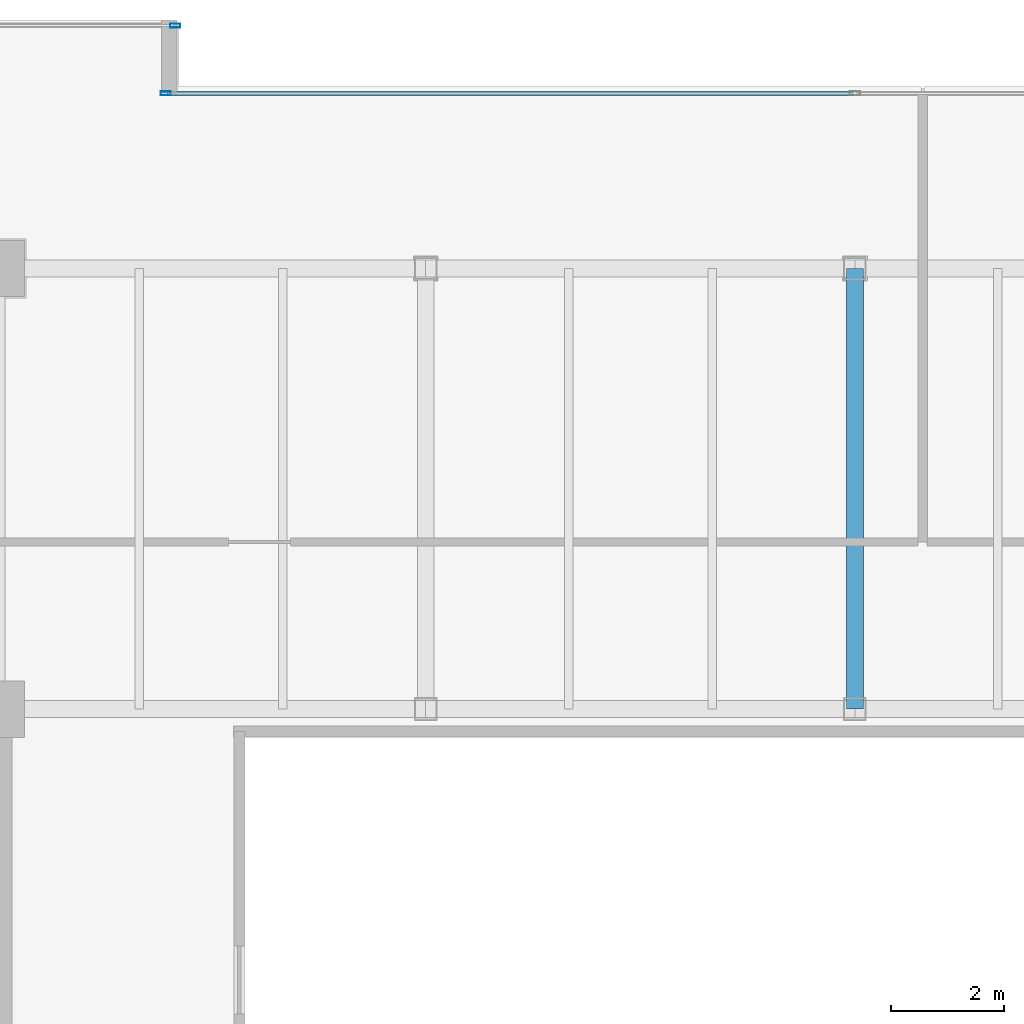
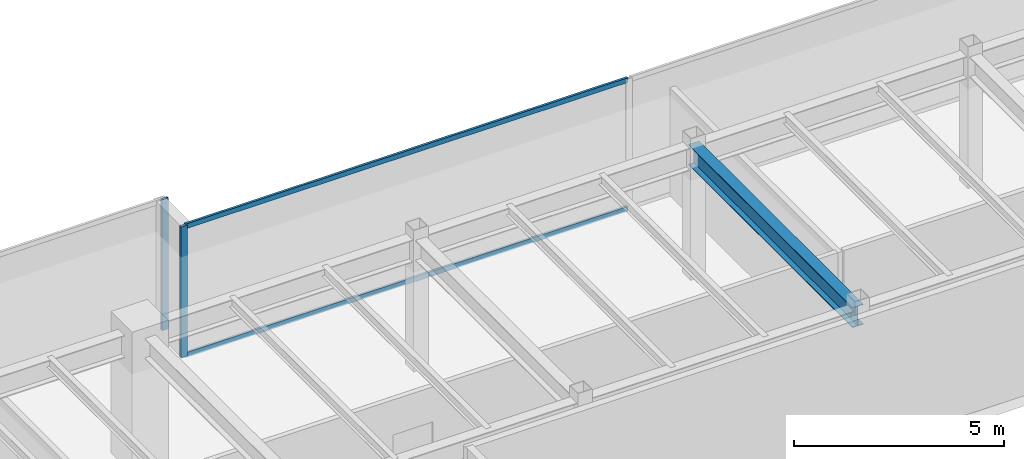
# One storey, part 17 of 35: 4 members, 1 beam, 2 elements without a shape of their own.
"""IFC4 building model written with IfcOpenShell, lengths in metres."""

from ifc_helpers import new_model, si_unit, direction, frame, origin, origin_2d, place, context, subcontext, project, spatial, hollow_rectangle, i_section, extrude, source, transform, mapped, material, layer, layer_set, material_profile, profile_set, type_object, type_shapes, element, aggregate, save


model = new_model("IFC4")

# Units and contexts
model_context = context("Model", 3, precision=1e-05, world=origin(), true_north=direction((0.0, 1.0)))
body_context = subcontext(model_context, "Body", "Model", "MODEL_VIEW")
ifc_project = project(units=[si_unit("LENGTHUNIT", "METRE"), si_unit("AREAUNIT", "SQUARE_METRE"), si_unit("VOLUMEUNIT", "CUBIC_METRE"), si_unit("PLANEANGLEUNIT", "RADIAN"), si_unit("MASSUNIT", "GRAM", prefix="KILO")], contexts=[model_context])

# Site, building, storey
site_placement = place(None, origin())
site = spatial("IfcSite", under=ifc_project, at=site_placement, CompositionType="ELEMENT")
building_placement = place(site_placement, origin())
building = spatial("IfcBuilding", under=site, at=building_placement, Name="Haelvirn Gate Laboratories", CompositionType="ELEMENT")
storey_placement = place(building_placement, frame((0.0, 0.0, 221.89990234375)))
storey = spatial("IfcBuildingStorey", under=building, at=storey_placement, Name="L53", CompositionType="ELEMENT", Elevation=221.89990234375)

# Beam
ifc_material_1 = material(Name="Steel SM355", Category="steel")
ifc_material_profile_1 = material_profile(ifc_material_1, i_section(OverallWidth=0.300048828125, OverallDepth=0.587890625, WebThickness=0.011962890625, FlangeThickness=0.02001953125, at=origin_2d()), Name="H-588x300x12x20")
ifc_profile_set_1 = profile_set([ifc_material_profile_1], Name="Steel SM355")
beam_type = type_object("IfcBeamType", Name="BM-G-588", PredefinedType="BEAM", material=ifc_profile_set_1)
shared_shape_1 = source(origin(), body_context, "Body", "SweptSolid", [
    extrude(i_section(OverallWidth=0.300048828125, OverallDepth=0.587890625, WebThickness=0.011962890625, FlangeThickness=0.02001953125, at=origin_2d()), origin(), (0.0, 0.0, 1.0), 7.800048828125),
])
type_shapes(beam_type, [shared_shape_1])
beam_placement = place(storey_placement, frame((37.39990234375, 33.800048828125, 3.506103515625), z_axis=(0.0, 1.0, 0.0), x_axis=(-1.0, 0.0, 0.0)))
element("IfcBeam", 1, at=beam_placement, inside=storey, type_object=beam_type, Name="L53 Frame Girder X37.4 (33.8-41.6)", PredefinedType="BEAM", context=body_context, shape_type="MappedRepresentation", body=[
    mapped(shared_shape_1, transform((0.0, 0.0, 0.0), scale=1.0)),
])

# Curtain wall, members
ifc_material_2 = material(Name="Anodised bronze unitised aluminium & triple low-E glass", Category="aluminium")
ifc_layer = layer(ifc_material_2, 0.176025390625, Name="CW-SYS-4")
ifc_layer_set = layer_set([ifc_layer], Name="Anodised bronze unitised aluminium & triple low-E glass")
curtain_wall_type = type_object("IfcCurtainWallType", Name="CW-SYS-4", PredefinedType="NOTDEFINED", material=ifc_layer_set)
curtain_wall_1_placement = place(storey_placement, origin())
curtain_wall_1 = element("IfcCurtainWall", 2, at=curtain_wall_1_placement, inside=storey, type_object=curtain_wall_type, Name="L53 Unitised Curtain Wall CW-L53-P0-E12-1", PredefinedType="NOTDEFINED")
ifc_material_3 = material(Name="Extruded aluminium 6063-T6 (anodised bronze)", Category="aluminium")
ifc_material_profile_2 = material_profile(ifc_material_3, hollow_rectangle(XDim=0.06494140625, YDim=0.139892578125, WallThickness=0.00390625, at=origin_2d()), Name="CWT-140x65x4")
ifc_profile_set_2 = profile_set([ifc_material_profile_2], Name="Extruded aluminium 6063-T6 (anodised bronze)")
member_type_1 = type_object("IfcMemberType", Name="CWT-T140", PredefinedType="USERDEFINED", material=ifc_profile_set_2)
shared_shape_2 = source(origin(), body_context, "Body", "SweptSolid", [
    extrude(hollow_rectangle(XDim=0.06494140625, YDim=0.139892578125, WallThickness=0.00390625, at=origin_2d()), origin(), (0.0, 0.0, 1.0), 12.135009765625),
])
type_shapes(member_type_1, [shared_shape_2])
member_1_placement = place(storey_placement, frame((25.22998046875, 44.699951171875, 0.03271484375), z_axis=(1.0, 0.0, 0.0), x_axis=(0.0, 1.0, 0.0)))
member_1 = element("IfcMember", 3, at=member_1_placement, type_object=member_type_1, Name="CW4 transom 1.1", ObjectType="TRANSOM", PredefinedType="USERDEFINED", context=body_context, shape_type="MappedRepresentation", body=[
    mapped(shared_shape_2, transform((0.0, 0.0, 0.0), scale=1.0)),
])
member_2_placement = place(storey_placement, frame((25.22998046875, 44.699951171875, 3.767578125), z_axis=(1.0, 0.0, 0.0), x_axis=(0.0, 1.0, 0.0)))
member_2 = element("IfcMember", 4, at=member_2_placement, type_object=member_type_1, Name="CW4 transom 1.2", ObjectType="TRANSOM", PredefinedType="USERDEFINED", context=body_context, shape_type="MappedRepresentation", body=[
    mapped(shared_shape_2, transform((0.0, 0.0, 0.0), scale=1.0)),
])
ifc_material_profile_3 = material_profile(ifc_material_3, hollow_rectangle(XDim=0.070068359375, YDim=0.179931640625, WallThickness=0.0048828125, at=origin_2d()), Name="CWM-180x70x5")
ifc_profile_set_3 = profile_set([ifc_material_profile_3], Name="Extruded aluminium 6063-T6 (anodised bronze)")
member_type_2 = type_object("IfcMemberType", Name="CWM-T180", PredefinedType="MULLION", material=ifc_profile_set_3)
shared_shape_3 = source(origin(), body_context, "Body", "SweptSolid", [
    extrude(hollow_rectangle(XDim=0.070068359375, YDim=0.179931640625, WallThickness=0.0048828125, at=origin_2d()), origin(), (0.0, 0.0, 1.0), 3.800048828125),
])
type_shapes(member_type_2, [shared_shape_3])
member_3_placement = place(storey_placement, frame((25.195068359375, 44.699951171875, 0.0), z_axis=(0.0, 0.0, 1.0), x_axis=(0.0, 1.0, 0.0)))
member_3 = element("IfcMember", 5, at=member_3_placement, type_object=member_type_2, Name="CW4 mullion 1", PredefinedType="MULLION", context=body_context, shape_type="MappedRepresentation", body=[
    mapped(shared_shape_3, transform((0.0, 0.0, 0.0), scale=1.0)),
])
aggregate(curtain_wall_1, [member_3, member_1, member_2])

# Curtain wall, member
curtain_wall_2_placement = place(storey_placement, origin())
curtain_wall_2 = element("IfcCurtainWall", 6, at=curtain_wall_2_placement, inside=storey, type_object=curtain_wall_type, Name="L53 Unitised Curtain Wall CW-L53-P0-E14-1", PredefinedType="NOTDEFINED")
member_4_placement = place(storey_placement, frame((25.364990234375, 45.89990234375, 0.0), z_axis=(0.0, 0.0, 1.0), x_axis=(0.0, 1.0, 0.0)))
member_4 = element("IfcMember", 7, at=member_4_placement, type_object=member_type_2, Name="CW4 mullion 3", PredefinedType="MULLION", context=body_context, shape_type="MappedRepresentation", body=[
    mapped(shared_shape_3, transform((0.0, 0.0, 0.0), scale=1.0)),
])
aggregate(curtain_wall_2, [member_4])

save(model, "model.ifc")
